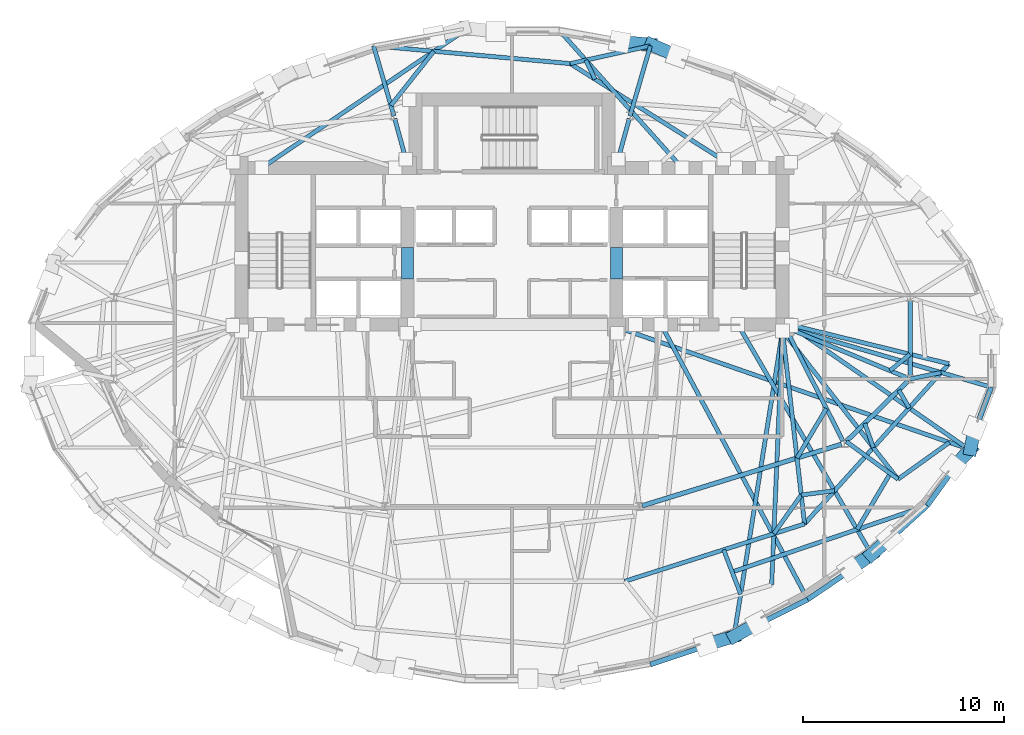
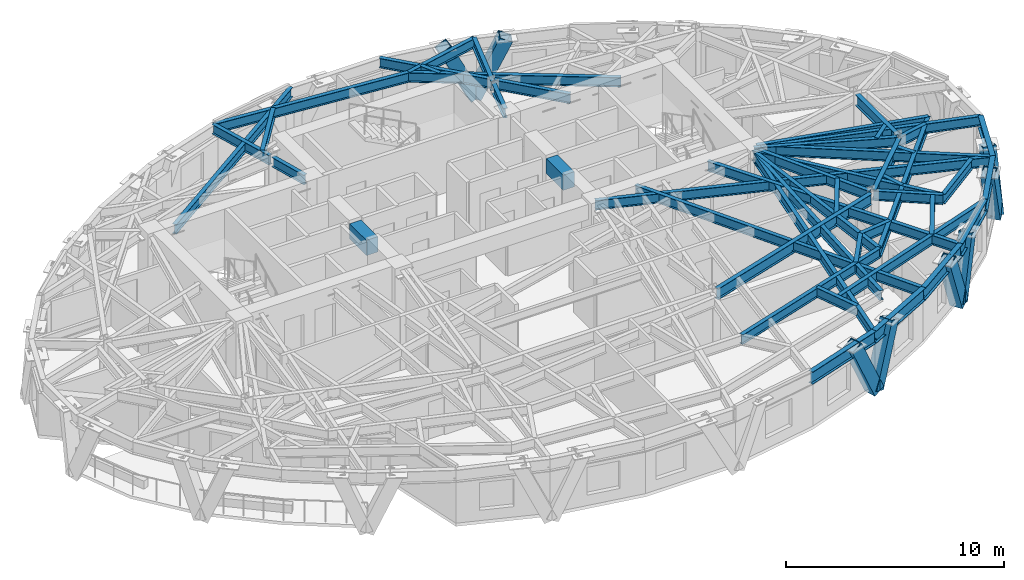
# One storey, part 4 of 15: 48 beams, 8 members.
"""IFC4 building model written with IfcOpenShell, lengths in metres."""

from ifc_helpers import new_model, si_unit, direction, frame, origin, origin_2d, place, context, subcontext, project, spatial, rectangle, hollow_rectangle, i_section, extrude, material, material_profile, profile_set, type_object, element, save


model = new_model("IFC4")

# Units and contexts
model_context = context("Model", 3, precision=1e-05, world=origin(), true_north=direction((0.0, 1.0)))
body_context = subcontext(model_context, "Body", "Model", "MODEL_VIEW")
ifc_project = project(units=[si_unit("LENGTHUNIT", "METRE"), si_unit("AREAUNIT", "SQUARE_METRE"), si_unit("VOLUMEUNIT", "CUBIC_METRE"), si_unit("PLANEANGLEUNIT", "RADIAN"), si_unit("MASSUNIT", "GRAM", prefix="KILO")], contexts=[model_context])

# Site, building, storey
site_placement = place(None, origin())
site = spatial("IfcSite", under=ifc_project, at=site_placement, CompositionType="ELEMENT")
building_placement = place(site_placement, origin())
building = spatial("IfcBuilding", under=site, at=building_placement, Name="Keldmark Tower", CompositionType="ELEMENT")
storey_placement = place(building_placement, frame((0.0, 0.0, 195.0)))
storey = spatial("IfcBuildingStorey", under=building, at=storey_placement, Name="L54", CompositionType="ELEMENT", Elevation=195.0)

# Beams
ifc_material_1 = material(Name="Concrete C50/60", Category="concrete")
ifc_material_profile_1 = material_profile(ifc_material_1, rectangle(XDim=0.60009765625, YDim=0.85009765625, at=origin_2d()), Name="RCB600X850")
ifc_profile_set_1 = profile_set([ifc_material_profile_1], Name="Concrete C50/60")
beam_type_1 = type_object("IfcBeamType", Name="Core Coupling Beam RCB600X850", PredefinedType="USERDEFINED", material=ifc_profile_set_1)
for number, where, z_axis, x_axis, name in (
    (1, (-5.199951171875, 3.800048828125, 2.594970703125), (0.0, 1.0, 0.0), (-1.0, 0.0, 0.0), "L54 West Core Coupling Beam"),
    (2, (5.199951171875, 3.800048828125, 2.594970703125), (0.0, 1.0, 0.0), (-1.0, 0.0, 0.0), "L54 East Core Coupling Beam"),
):
    element("IfcBeam", number, at=place(storey_placement, frame(where, z_axis=z_axis, x_axis=x_axis)), inside=storey, type_object=beam_type_1, Name=name, ObjectType="COUPLING BEAM", PredefinedType="USERDEFINED", context=body_context, shape_type="SweptSolid", body=[
        extrude(rectangle(XDim=0.60009765625, YDim=0.85009765625, at=origin_2d()), origin(), (0.0, 0.0, 1.0), 1.550048828125),
    ])

# Members
ifc_material_2 = material(Name="Steel ASTM A572 Grade 50", Category="steel")
ifc_material_profile_2 = material_profile(ifc_material_2, hollow_rectangle(XDim=0.64990234375, YDim=0.64990234375, WallThickness=0.0400390625, at=origin_2d()), Name="BOX650X650X40")
ifc_profile_set_2 = profile_set([ifc_material_profile_2], Name="Steel ASTM A572 Grade 50")
member_type = type_object("IfcMemberType", Name="Diagrid Zone 3 Brace BOX650X650X40", PredefinedType="BRACE", material=ifc_profile_set_2)
member_1_placement = place(storey_placement, frame((6.917236328125, 15.469970703125, -0.260009765625), z_axis=(0.383885290539, -0.16597599856, 0.908341373939), x_axis=(0.39685383877, 0.917881817367, 0.0)))
element("IfcMember", 3, at=member_1_placement, inside=storey, type_object=member_type, Name="L54 Perimeter Diagrid Brace 03B", PredefinedType="BRACE", context=body_context, shape_type="SweptSolid", body=[
    extrude(hollow_rectangle(XDim=0.64990234375, YDim=0.64990234375, WallThickness=0.0400390625, at=origin_2d()), origin(), (0.0, 0.0, 1.0), 3.478759765625),
])
member_2_placement = place(storey_placement, frame((6.92822265625, 15.465576171875, -0.260009765625), z_axis=(-0.443781125706, 0.040048203208, 0.895239886224), x_axis=(-0.089877909266, -0.995952790762, 0.0)))
element("IfcMember", 4, at=member_2_placement, inside=storey, type_object=member_type, Name="L54 Perimeter Diagrid Brace 04A", PredefinedType="BRACE", context=body_context, shape_type="SweptSolid", body=[
    extrude(hollow_rectangle(XDim=0.64990234375, YDim=0.64990234375, WallThickness=0.0400390625, at=origin_2d()), origin(), (0.0, 0.0, 1.0), 3.52978515625),
])
member_3_placement = place(storey_placement, frame((11.06982421875, -14.00537109375, -0.260009765625), z_axis=(-0.406704578482, -0.120689041438, 0.905552616427), x_axis=(0.284486983091, -0.958679903019, 0.0)))
element("IfcMember", 5, at=member_3_placement, inside=storey, type_object=member_type, Name="L54 Perimeter Diagrid Brace 13B", PredefinedType="BRACE", context=body_context, shape_type="SweptSolid", body=[
    extrude(hollow_rectangle(XDim=0.64990234375, YDim=0.64990234375, WallThickness=0.0400390625, at=origin_2d()), origin(), (0.0, 0.0, 1.0), 3.489501953125),
])
member_4_placement = place(storey_placement, frame((11.05908203125, -14.010009765625, -0.260009765625), z_axis=(0.346715719904, 0.191271860213, 0.918261011402), x_axis=(-0.483039450761, 0.875598588971, 0.0)))
element("IfcMember", 6, at=member_4_placement, inside=storey, type_object=member_type, Name="L54 Perimeter Diagrid Brace 14A", PredefinedType="BRACE", context=body_context, shape_type="SweptSolid", body=[
    extrude(hollow_rectangle(XDim=0.64990234375, YDim=0.64990234375, WallThickness=0.0400390625, at=origin_2d()), origin(), (0.0, 0.0, 1.0), 3.441162109375),
])
member_5_placement = place(storey_placement, frame((17.896728515625, -9.932373046875, -0.260009765625), z_axis=(-0.310124523089, -0.215549062991, 0.925938108959), x_axis=(0.570725894592, -0.821140641572, 0.0)))
element("IfcMember", 7, at=member_5_placement, inside=storey, type_object=member_type, Name="L54 Perimeter Diagrid Brace 14B", PredefinedType="BRACE", context=body_context, shape_type="SweptSolid", body=[
    extrude(hollow_rectangle(XDim=0.64990234375, YDim=0.64990234375, WallThickness=0.0400390625, at=origin_2d()), origin(), (0.0, 0.0, 1.0), 3.41259765625),
])
member_6_placement = place(storey_placement, frame((17.888427734375, -9.940673828125, -0.260009765625), z_axis=(0.272781799624, 0.2422808811, 0.931069312376), x_axis=(-0.664070071551, 0.747670341842, 0.0)))
element("IfcMember", 8, at=member_6_placement, inside=storey, type_object=member_type, Name="L54 Perimeter Diagrid Brace 15A", PredefinedType="BRACE", context=body_context, shape_type="SweptSolid", body=[
    extrude(hollow_rectangle(XDim=0.64990234375, YDim=0.64990234375, WallThickness=0.0400390625, at=origin_2d()), origin(), (0.0, 0.0, 1.0), 3.393798828125),
])
member_7_placement = place(storey_placement, frame((22.84375, -4.680419921875, -0.260009765625), z_axis=(-0.250918132437, -0.266663424988, 0.930553979406), x_axis=(0.72828069135, -0.685278946566, 0.0)))
element("IfcMember", 9, at=member_7_placement, inside=storey, type_object=member_type, Name="L54 Perimeter Diagrid Brace 15B", PredefinedType="BRACE", context=body_context, shape_type="SweptSolid", body=[
    extrude(hollow_rectangle(XDim=0.64990234375, YDim=0.64990234375, WallThickness=0.0400390625, at=origin_2d()), origin(), (0.0, 0.0, 1.0), 3.395751953125),
])
member_8_placement = place(storey_placement, frame((22.839111328125, -4.69140625, -0.260009765625), z_axis=(0.062423237202, 0.317890700925, 0.946070209721), x_axis=(-0.981260249184, 0.192687112624, 0.0)))
element("IfcMember", 10, at=member_8_placement, inside=storey, type_object=member_type, Name="L54 Perimeter Diagrid Brace 16A", PredefinedType="BRACE", context=body_context, shape_type="SweptSolid", body=[
    extrude(hollow_rectangle(XDim=0.64990234375, YDim=0.64990234375, WallThickness=0.0400390625, at=origin_2d()), origin(), (0.0, 0.0, 1.0), 3.340087890625),
])

# Beams
ifc_material_3 = material(Name="Steel ASTM A992 Grade 50", Category="steel")
ifc_material_profile_3 = material_profile(ifc_material_3, i_section(OverallWidth=0.22900390625, OverallDepth=0.612060546875, WebThickness=0.011962890625, FlangeThickness=0.01953125, at=origin_2d()), Name="W24X84")
ifc_profile_set_3 = profile_set([ifc_material_profile_3], Name="Steel ASTM A992 Grade 50")
beam_type_2 = type_object("IfcBeamType", Name="Primary Floor Girder W24X84", PredefinedType="BEAM", material=ifc_profile_set_3)
beam_1_placement = place(storey_placement, frame((6.485107421875, -7.5048828125, 2.714111328125), z_axis=(0.955494563145, 0.295008711398, 0.0), x_axis=(-0.295008711398, 0.955494563145, 0.0)))
element("IfcBeam", 11, at=beam_1_placement, inside=storey, type_object=beam_type_2, Name="L54 Floor Ring Girder FG-R10", PredefinedType="BEAM", context=body_context, shape_type="SweptSolid", body=[
    extrude(i_section(OverallWidth=0.22900390625, OverallDepth=0.612060546875, WebThickness=0.011962890625, FlangeThickness=0.01953125, at=origin_2d()), origin(), (0.0, 0.0, 1.0), 10.39013671875),
])
beam_2_placement = place(storey_placement, frame((16.646728515625, -4.300537109375, 2.714111328125), z_axis=(0.714964509815, 0.699160746684, 0.0), x_axis=(-0.699160746684, 0.714964509815, 0.0)))
element("IfcBeam", 12, at=beam_2_placement, inside=storey, type_object=beam_type_2, Name="L54 Floor Ring Girder FG-R11", PredefinedType="BEAM", context=body_context, shape_type="SweptSolid", body=[
    extrude(i_section(OverallWidth=0.22900390625, OverallDepth=0.612060546875, WebThickness=0.011962890625, FlangeThickness=0.01953125, at=origin_2d()), origin(), (0.0, 0.0, 1.0), 4.31005859375),
])
beam_3_placement = place(storey_placement, frame((19.828369140625, -1.04931640625, 2.714111328125), z_axis=(0.0, 1.0, 0.0), x_axis=(-1.0, 0.0, 0.0)))
element("IfcBeam", 13, at=beam_3_placement, inside=storey, type_object=beam_type_2, Name="L54 Floor Ring Girder FG-R12", PredefinedType="BEAM", context=body_context, shape_type="SweptSolid", body=[
    extrude(i_section(OverallWidth=0.22900390625, OverallDepth=0.612060546875, WebThickness=0.011962890625, FlangeThickness=0.01953125, at=origin_2d()), origin(), (0.0, 0.0, 1.0), 3.778564453125),
])
ifc_material_4 = material(Name="Steel ASTM A992 Grade 50", Category="steel")
ifc_material_profile_4 = material_profile(ifc_material_4, i_section(OverallWidth=0.2099609375, OverallDepth=0.537109375, WebThickness=0.010986328125, FlangeThickness=0.017333984375, at=origin_2d()), Name="W21X68")
ifc_profile_set_4 = profile_set([ifc_material_profile_4], Name="Steel ASTM A992 Grade 50")
beam_type_3 = type_object("IfcBeamType", Name="Radial Tie Girder W21X68", PredefinedType="BEAM", material=ifc_profile_set_4)
for number, where, z_axis, x_axis, name in (
    (14, (5.843017578125, 11.7802734375, 2.75146484375), (-0.265992411, -0.963975122755, 0.0), (0.963975122755, -0.265992411, 0.0), "L54 Floor Radial Girder FG-C03"),
    (15, (-5.843017578125, 11.7802734375, 2.75146484375), (0.265992411, -0.963975122755, 0.0), (0.963975122755, 0.265992411, 0.0), "L54 Floor Radial Girder FG-C04"),
):
    element("IfcBeam", number, at=place(storey_placement, frame(where, z_axis=z_axis, x_axis=x_axis)), inside=storey, type_object=beam_type_3, Name=name, PredefinedType="BEAM", context=body_context, shape_type="SweptSolid", body=[
        extrude(i_section(OverallWidth=0.2099609375, OverallDepth=0.537109375, WebThickness=0.010986328125, FlangeThickness=0.017333984375, at=origin_2d()), origin(), (0.0, 0.0, 1.0), 2.09716796875),
    ])
beam_4_placement = place(storey_placement, frame((16.4833984375, -4.273681640625, 2.75146484375), z_axis=(-0.453036691775, 0.891491870914, 0.0), x_axis=(-0.891491870914, -0.453036691775, 0.0)))
element("IfcBeam", 16, at=beam_4_placement, inside=storey, type_object=beam_type_3, Name="L54 Floor Radial Girder FG-C11", PredefinedType="BEAM", context=body_context, shape_type="SweptSolid", body=[
    extrude(i_section(OverallWidth=0.2099609375, OverallDepth=0.537109375, WebThickness=0.010986328125, FlangeThickness=0.017333984375, at=origin_2d()), origin(), (0.0, 0.0, 1.0), 6.044189453125),
])
beam_5_placement = place(storey_placement, frame((19.69921875, -1.135498046875, 2.75146484375), z_axis=(-0.923393794893, 0.383854008124, 0.0), x_axis=(-0.383854008124, -0.923393794893, 0.0)))
element("IfcBeam", 17, at=beam_5_placement, inside=storey, type_object=beam_type_3, Name="L54 Floor Radial Girder FG-C12", PredefinedType="BEAM", context=body_context, shape_type="SweptSolid", body=[
    extrude(i_section(OverallWidth=0.2099609375, OverallDepth=0.537109375, WebThickness=0.010986328125, FlangeThickness=0.017333984375, at=origin_2d()), origin(), (0.0, 0.0, 1.0), 6.28515625),
])
beam_6_placement = place(storey_placement, frame((15.661865234375, -2.6572265625, 2.75146484375), z_axis=(-0.510800164632, -0.859699477615, 0.0), x_axis=(0.859699477615, -0.510800164632, 0.0)))
element("IfcBeam", 18, at=beam_6_placement, inside=storey, type_object=beam_type_3, Name="L54 Framing Pin Header PH-005", PredefinedType="BEAM", context=body_context, shape_type="SweptSolid", body=[
    extrude(i_section(OverallWidth=0.2099609375, OverallDepth=0.537109375, WebThickness=0.010986328125, FlangeThickness=0.017333984375, at=origin_2d()), origin(), (0.0, 0.0, 1.0), 2.86962890625),
])
beam_7_placement = place(storey_placement, frame((13.47509765625, 1.199951171875, 2.75146484375), z_axis=(0.113259692986, -0.993565419056, 0.0), x_axis=(0.993565419056, 0.113259692986, 0.0)))
element("IfcBeam", 19, at=beam_7_placement, inside=storey, type_object=beam_type_3, Name="L54 Sub-Ring Step Girder STP1-M11", PredefinedType="BEAM", context=body_context, shape_type="SweptSolid", body=[
    extrude(i_section(OverallWidth=0.2099609375, OverallDepth=0.537109375, WebThickness=0.010986328125, FlangeThickness=0.017333984375, at=origin_2d()), origin(), (0.0, 0.0, 1.0), 9.672119140625),
])
beam_8_placement = place(storey_placement, frame((18.82861328125, -0.773681640625, 2.75146484375), z_axis=(0.774092038208, 0.633073073494, 0.0), x_axis=(-0.633073073494, 0.774092038208, 0.0)))
element("IfcBeam", 20, at=beam_8_placement, inside=storey, type_object=beam_type_3, Name="L54 Framing Pin Header PH-006", PredefinedType="BEAM", context=body_context, shape_type="SweptSolid", body=[
    extrude(i_section(OverallWidth=0.2099609375, OverallDepth=0.537109375, WebThickness=0.010986328125, FlangeThickness=0.017333984375, at=origin_2d()), origin(), (0.0, 0.0, 1.0), 1.29150390625),
])
beam_9_placement = place(storey_placement, frame((13.800048828125, 1.52490234375, 2.75146484375), z_axis=(0.971125533305, -0.238569064555, 0.0), x_axis=(0.238569064555, 0.971125533305, 0.0)))
element("IfcBeam", 21, at=beam_9_placement, inside=storey, type_object=beam_type_3, Name="L54 Sub-Ring Step Girder STP1-M12", PredefinedType="BEAM", context=body_context, shape_type="SweptSolid", body=[
    extrude(i_section(OverallWidth=0.2099609375, OverallDepth=0.537109375, WebThickness=0.010986328125, FlangeThickness=0.017333984375, at=origin_2d()), origin(), (0.0, 0.0, 1.0), 8.201171875),
])
beam_10_placement = place(storey_placement, frame((5.62158203125, -11.26318359375, 2.75146484375), z_axis=(0.952745030874, 0.303771141067, 0.0), x_axis=(-0.303771141067, 0.952745030874, 0.0)))
element("IfcBeam", 22, at=beam_10_placement, inside=storey, type_object=beam_type_3, Name="L54 Perimeter Collector Ring Beam CRG1-M10", PredefinedType="BEAM", context=body_context, shape_type="SweptSolid", body=[
    extrude(i_section(OverallWidth=0.2099609375, OverallDepth=0.537109375, WebThickness=0.010986328125, FlangeThickness=0.017333984375, at=origin_2d()), origin(), (0.0, 0.0, 1.0), 9.392822265625),
])
beam_11_placement = place(storey_placement, frame((14.570556640625, -8.409912109375, 2.75146484375), z_axis=(0.66965376716, 0.742673435723, 0.0), x_axis=(-0.742673435723, 0.66965376716, 0.0)))
element("IfcBeam", 23, at=beam_11_placement, inside=storey, type_object=beam_type_3, Name="L54 Perimeter Collector Ring Beam CRG1-M11", PredefinedType="BEAM", context=body_context, shape_type="SweptSolid", body=[
    extrude(i_section(OverallWidth=0.2099609375, OverallDepth=0.537109375, WebThickness=0.010986328125, FlangeThickness=0.017333984375, at=origin_2d()), origin(), (0.0, 0.0, 1.0), 10.74267578125),
])
beam_12_placement = place(storey_placement, frame((14.40625, -6.968505859375, 2.75146484375), z_axis=(-0.577636026201, -0.816294445182, 0.0), x_axis=(0.816294445182, -0.577636026201, 0.0)))
element("IfcBeam", 24, at=beam_12_placement, inside=storey, type_object=beam_type_3, Name="L54 Framing Pin Header PH-010", PredefinedType="BEAM", context=body_context, shape_type="SweptSolid", body=[
    extrude(i_section(OverallWidth=0.2099609375, OverallDepth=0.537109375, WebThickness=0.010986328125, FlangeThickness=0.017333984375, at=origin_2d()), origin(), (0.0, 0.0, 1.0), 2.363037109375),
])
beam_13_placement = place(storey_placement, frame((13.47509765625, 1.199951171875, 2.75146484375), z_axis=(-0.04293274597, -0.999077964587, 0.0), x_axis=(0.999077964587, -0.04293274597, 0.0)))
element("IfcBeam", 25, at=beam_13_placement, inside=storey, type_object=beam_type_3, Name="L54 Sub-Ring Step Girder STP2-M11", PredefinedType="BEAM", context=body_context, shape_type="SweptSolid", body=[
    extrude(i_section(OverallWidth=0.2099609375, OverallDepth=0.537109375, WebThickness=0.010986328125, FlangeThickness=0.017333984375, at=origin_2d()), origin(), (0.0, 0.0, 1.0), 12.6640625),
])
for number, where, z_axis, x_axis, name in (
    (26, (5.880126953125, 11.915283203125, 2.75146484375), (0.278798208743, 0.960349706514, 0.0), (-0.960349706514, 0.278798208743, 0.0), "L54 Perimeter Column Bracket RT-07"),
    (27, (-5.880126953125, 11.915283203125, 2.75146484375), (-0.278798208743, 0.960349706514, 0.0), (-0.960349706514, -0.278798208743, 0.0), "L54 Perimeter Column Bracket RT-10"),
):
    element("IfcBeam", number, at=place(storey_placement, frame(where, z_axis=z_axis, x_axis=x_axis)), inside=storey, type_object=beam_type_3, Name=name, PredefinedType="BEAM", context=body_context, shape_type="SweptSolid", body=[
        extrude(i_section(OverallWidth=0.2099609375, OverallDepth=0.537109375, WebThickness=0.010986328125, FlangeThickness=0.017333984375, at=origin_2d()), origin(), (0.0, 0.0, 1.0), 3.6357421875),
    ])
beam_14_placement = place(storey_placement, frame((10.54345703125, -9.69384765625, 2.75146484375), z_axis=(0.357068832187, -0.934078074403, 0.0), x_axis=(0.934078074403, 0.357068832187, 0.0)))
element("IfcBeam", 28, at=beam_14_placement, inside=storey, type_object=beam_type_3, Name="L54 Framing Pin Header PH-031", PredefinedType="BEAM", context=body_context, shape_type="SweptSolid", body=[
    extrude(i_section(OverallWidth=0.2099609375, OverallDepth=0.537109375, WebThickness=0.010986328125, FlangeThickness=0.017333984375, at=origin_2d()), origin(), (0.0, 0.0, 1.0), 2.373291015625),
])
beam_15_placement = place(storey_placement, frame((13.47509765625, 1.199951171875, 2.75146484375), z_axis=(-0.157001992151, -0.987598285975, 0.0), x_axis=(0.987598285975, -0.157001992151, 0.0)))
element("IfcBeam", 29, at=beam_15_placement, inside=storey, type_object=beam_type_3, Name="L54 Perimeter Radial Tie Girder RT-27", PredefinedType="BEAM", context=body_context, shape_type="SweptSolid", body=[
    extrude(i_section(OverallWidth=0.2099609375, OverallDepth=0.537109375, WebThickness=0.010986328125, FlangeThickness=0.017333984375, at=origin_2d()), origin(), (0.0, 0.0, 1.0), 15.413330078125),
])
beam_16_placement = place(storey_placement, frame((7.425048828125, 1.52490234375, 2.75146484375), z_axis=(0.470695999383, -0.882295458542, 0.0), x_axis=(0.882295458542, 0.470695999383, 0.0)))
element("IfcBeam", 30, at=beam_16_placement, inside=storey, type_object=beam_type_3, Name="L54 Perimeter Radial Tie Girder RT-28", PredefinedType="BEAM", context=body_context, shape_type="SweptSolid", body=[
    extrude(i_section(OverallWidth=0.2099609375, OverallDepth=0.537109375, WebThickness=0.010986328125, FlangeThickness=0.017333984375, at=origin_2d()), origin(), (0.0, 0.0, 1.0), 15.52099609375),
])
beam_17_placement = place(storey_placement, frame((14.40625, -6.968505859375, 2.75146484375), z_axis=(0.991543398458, 0.129775533033, 0.0), x_axis=(-0.129775533033, 0.991543398458, 0.0)))
element("IfcBeam", 31, at=beam_17_placement, inside=storey, type_object=beam_type_3, Name="L54 Framing Pin Header PH-032", PredefinedType="BEAM", context=body_context, shape_type="SweptSolid", body=[
    extrude(i_section(OverallWidth=0.2099609375, OverallDepth=0.537109375, WebThickness=0.010986328125, FlangeThickness=0.017333984375, at=origin_2d()), origin(), (0.0, 0.0, 1.0), 1.67431640625),
])
beam_18_placement = place(storey_placement, frame((11.25, 1.52490234375, 2.75146484375), z_axis=(0.502982960214, -0.864296327502, 0.0), x_axis=(0.864296327502, 0.502982960214, 0.0)))
element("IfcBeam", 32, at=beam_18_placement, inside=storey, type_object=beam_type_3, Name="L54 Perimeter Radial Tie Girder RT-29", PredefinedType="BEAM", context=body_context, shape_type="SweptSolid", body=[
    extrude(i_section(OverallWidth=0.2099609375, OverallDepth=0.537109375, WebThickness=0.010986328125, FlangeThickness=0.017333984375, at=origin_2d()), origin(), (0.0, 0.0, 1.0), 13.319580078125),
])
beam_19_placement = place(storey_placement, frame((17.5712890625, -3.396484375, 2.75146484375), z_axis=(0.333227756556, -0.94284636196, 0.0), x_axis=(0.94284636196, 0.333227756556, 0.0)))
element("IfcBeam", 33, at=beam_19_placement, inside=storey, type_object=beam_type_3, Name="L54 Framing Pin Header PH-033", PredefinedType="BEAM", context=body_context, shape_type="SweptSolid", body=[
    extrude(i_section(OverallWidth=0.2099609375, OverallDepth=0.537109375, WebThickness=0.010986328125, FlangeThickness=0.017333984375, at=origin_2d()), origin(), (0.0, 0.0, 1.0), 1.284423828125),
])
beam_20_placement = place(storey_placement, frame((13.47509765625, 1.199951171875, 2.75146484375), z_axis=(0.614554681204, -0.788874225596, 0.0), x_axis=(0.788874225596, 0.614554681204, 0.0)))
element("IfcBeam", 34, at=beam_20_placement, inside=storey, type_object=beam_type_3, Name="L54 Intermediate Radial Step Girder RT-30M", PredefinedType="BEAM", context=body_context, shape_type="SweptSolid", body=[
    extrude(i_section(OverallWidth=0.2099609375, OverallDepth=0.537109375, WebThickness=0.010986328125, FlangeThickness=0.017333984375, at=origin_2d()), origin(), (0.0, 0.0, 1.0), 9.35546875),
])
beam_21_placement = place(storey_placement, frame((16.646728515625, -4.300537109375, 2.75146484375), z_axis=(0.807980967273, -0.589208584904, 0.0), x_axis=(0.589208584904, 0.807980967273, 0.0)))
element("IfcBeam", 35, at=beam_21_placement, inside=storey, type_object=beam_type_3, Name="L54 Local Collector Chord RT-30C", PredefinedType="BEAM", context=body_context, shape_type="SweptSolid", body=[
    extrude(i_section(OverallWidth=0.2099609375, OverallDepth=0.537109375, WebThickness=0.010986328125, FlangeThickness=0.017333984375, at=origin_2d()), origin(), (0.0, 0.0, 1.0), 3.1904296875),
])
beam_22_placement = place(storey_placement, frame((19.26611328125, -1.739013671875, 2.75146484375), z_axis=(0.50146613662, -0.865177273062, 0.0), x_axis=(0.865177273062, 0.50146613662, 0.0)))
element("IfcBeam", 36, at=beam_22_placement, inside=storey, type_object=beam_type_3, Name="L54 Framing Pin Header PH-034", PredefinedType="BEAM", context=body_context, shape_type="SweptSolid", body=[
    extrude(i_section(OverallWidth=0.2099609375, OverallDepth=0.537109375, WebThickness=0.010986328125, FlangeThickness=0.017333984375, at=origin_2d()), origin(), (0.0, 0.0, 1.0), 1.02978515625),
])
beam_23_placement = place(storey_placement, frame((13.800048828125, 1.52490234375, 2.75146484375), z_axis=(0.821354176365, -0.570418545427, 0.0), x_axis=(0.570418545427, 0.821354176365, 0.0)))
element("IfcBeam", 37, at=beam_23_placement, inside=storey, type_object=beam_type_3, Name="L54 Perimeter Radial Tie Girder RT-31", PredefinedType="BEAM", context=body_context, shape_type="SweptSolid", body=[
    extrude(i_section(OverallWidth=0.2099609375, OverallDepth=0.537109375, WebThickness=0.010986328125, FlangeThickness=0.017333984375, at=origin_2d()), origin(), (0.0, 0.0, 1.0), 10.866455078125),
])
beam_24_placement = place(storey_placement, frame((19.828369140625, -1.189208984375, 2.75146484375), z_axis=(0.978865638515, 0.204504429619, 0.0), x_axis=(-0.204504429619, 0.978865638515, 0.0)))
element("IfcBeam", 38, at=beam_24_placement, inside=storey, type_object=beam_type_3, Name="L54 Framing Pin Header PH-035", PredefinedType="BEAM", context=body_context, shape_type="SweptSolid", body=[
    extrude(i_section(OverallWidth=0.2099609375, OverallDepth=0.537109375, WebThickness=0.010986328125, FlangeThickness=0.017333984375, at=origin_2d()), origin(), (0.0, 0.0, 1.0), 1.5771484375),
])
beam_25_placement = place(storey_placement, frame((13.60009765625, 1.39990234375, 2.75146484375), z_axis=(0.960007672029, -0.279973694561, 0.0), x_axis=(0.279973694561, 0.960007672029, 0.0)))
element("IfcBeam", 39, at=beam_25_placement, inside=storey, type_object=beam_type_3, Name="L54 Perimeter Radial Tie Girder RT-32", PredefinedType="BEAM", context=body_context, shape_type="SweptSolid", body=[
    extrude(i_section(OverallWidth=0.2099609375, OverallDepth=0.537109375, WebThickness=0.010986328125, FlangeThickness=0.017333984375, at=origin_2d()), origin(), (0.0, 0.0, 1.0), 10.691650390625),
])
beam_26_placement = place(storey_placement, frame((11.1357421875, 9.324951171875, 2.75146484375), z_axis=(-0.845719980305, 0.533626943579, 0.0), x_axis=(-0.533626943579, -0.845719980305, 0.0)))
element("IfcBeam", 40, at=beam_26_placement, inside=storey, type_object=beam_type_3, Name="L54 Crown Step Radial Girder RT-08RN2", PredefinedType="BEAM", context=body_context, shape_type="SweptSolid", body=[
    extrude(i_section(OverallWidth=0.2099609375, OverallDepth=0.537109375, WebThickness=0.010986328125, FlangeThickness=0.017333984375, at=origin_2d()), origin(), (0.0, 0.0, 1.0), 9.73779296875),
])
beam_27_placement = place(storey_placement, frame((2.900390625, 14.521240234375, 2.75146484375), z_axis=(0.976274052014, 0.216538623263, 0.0), x_axis=(-0.216538623263, 0.976274052014, 0.0)))
element("IfcBeam", 41, at=beam_27_placement, inside=storey, type_object=beam_type_3, Name="L54 Crown Step Collector Chord RT-08RP2", PredefinedType="BEAM", context=body_context, shape_type="SweptSolid", body=[
    extrude(i_section(OverallWidth=0.2099609375, OverallDepth=0.537109375, WebThickness=0.010986328125, FlangeThickness=0.017333984375, at=origin_2d()), origin(), (0.0, 0.0, 1.0), 4.090576171875),
])
beam_28_placement = place(storey_placement, frame((4.1357421875, 13.74169921875, 2.75146484375), z_axis=(-0.433947616797, 0.900938103244, 0.0), x_axis=(-0.900938103244, -0.433947616797, 0.0)))
element("IfcBeam", 42, at=beam_28_placement, inside=storey, type_object=beam_type_3, Name="L54 Framing Pin Header PH-037", PredefinedType="BEAM", context=body_context, shape_type="SweptSolid", body=[
    extrude(i_section(OverallWidth=0.2099609375, OverallDepth=0.537109375, WebThickness=0.010986328125, FlangeThickness=0.017333984375, at=origin_2d()), origin(), (0.0, 0.0, 1.0), 1.056640625),
])
beam_29_placement = place(storey_placement, frame((8.471435546875, 9.324951171875, 2.75146484375), z_axis=(-0.666090206653, 0.745871193036, 0.0), x_axis=(-0.745871193036, -0.666090206653, 0.0)))
element("IfcBeam", 43, at=beam_29_placement, inside=storey, type_object=beam_type_3, Name="L54 Perimeter Radial Tie Girder RT-08R", PredefinedType="BEAM", context=body_context, shape_type="SweptSolid", body=[
    extrude(i_section(OverallWidth=0.2099609375, OverallDepth=0.537109375, WebThickness=0.010986328125, FlangeThickness=0.017333984375, at=origin_2d()), origin(), (0.0, 0.0, 1.0), 9.189697265625),
])
beam_30_placement = place(storey_placement, frame((2.900390625, 14.521240234375, 2.75146484375), z_axis=(-0.995935625989, 0.090067912633, 0.0), x_axis=(-0.090067912633, -0.995935625989, 0.0)))
element("IfcBeam", 44, at=beam_30_placement, inside=storey, type_object=beam_type_3, Name="L54 Straddling Support Chord RT-09RB", PredefinedType="BEAM", context=body_context, shape_type="SweptSolid", body=[
    extrude(i_section(OverallWidth=0.2099609375, OverallDepth=0.537109375, WebThickness=0.010986328125, FlangeThickness=0.017333984375, at=origin_2d()), origin(), (0.0, 0.0, 1.0), 9.834228515625),
])
beam_31_placement = place(storey_placement, frame((-6.0322265625, 12.439208984375, 2.75146484375), z_axis=(0.621871911587, 0.783118972813, 0.0), x_axis=(-0.783118972813, 0.621871911587, 0.0)))
element("IfcBeam", 45, at=beam_31_placement, inside=storey, type_object=beam_type_3, Name="L54 Framing Pin Header PH-038", PredefinedType="BEAM", context=body_context, shape_type="SweptSolid", body=[
    extrude(i_section(OverallWidth=0.2099609375, OverallDepth=0.537109375, WebThickness=0.010986328125, FlangeThickness=0.017333984375, at=origin_2d()), origin(), (0.0, 0.0, 1.0), 3.443115234375),
])
beam_32_placement = place(storey_placement, frame((-12.468017578125, 9.324951171875, 2.75146484375), z_axis=(0.827905823191, 0.560867139281, 0.0), x_axis=(-0.560867139281, 0.827905823191, 0.0)))
element("IfcBeam", 46, at=beam_32_placement, inside=storey, type_object=beam_type_3, Name="L54 Perimeter Radial Tie Girder RT-09R", PredefinedType="BEAM", context=body_context, shape_type="SweptSolid", body=[
    extrude(i_section(OverallWidth=0.2099609375, OverallDepth=0.537109375, WebThickness=0.010986328125, FlangeThickness=0.017333984375, at=origin_2d()), origin(), (0.0, 0.0, 1.0), 12.220703125),
])
beam_33_placement = place(storey_placement, frame((5.199951171875, 1.39990234375, 2.75146484375), z_axis=(0.944869270614, -0.32744779958, 0.0), x_axis=(0.32744779958, 0.944869270614, 0.0)))
element("IfcBeam", 47, at=beam_33_placement, inside=storey, type_object=beam_type_3, Name="L54 Straddling Support Chord RT-30RB", PredefinedType="BEAM", context=body_context, shape_type="SweptSolid", body=[
    extrude(i_section(OverallWidth=0.2099609375, OverallDepth=0.537109375, WebThickness=0.010986328125, FlangeThickness=0.017333984375, at=origin_2d()), origin(), (0.0, 0.0, 1.0), 18.5478515625),
])
beam_34_placement = place(storey_placement, frame((19.224609375, -6.180419921875, 2.75146484375), z_axis=(0.813109520303, 0.582110735163, 0.0), x_axis=(-0.582110735163, 0.813109520303, 0.0)))
element("IfcBeam", 48, at=beam_34_placement, inside=storey, type_object=beam_type_3, Name="L54 Framing Pin Header PH-039", PredefinedType="BEAM", context=body_context, shape_type="SweptSolid", body=[
    extrude(i_section(OverallWidth=0.2099609375, OverallDepth=0.537109375, WebThickness=0.010986328125, FlangeThickness=0.017333984375, at=origin_2d()), origin(), (0.0, 0.0, 1.0), 3.1484375),
])
beam_35_placement = place(storey_placement, frame((18.837890625, -5.898193359375, 2.75146484375), z_axis=(-0.50897077125, -0.860783802132, 0.0), x_axis=(0.860783802132, -0.50897077125, 0.0)))
element("IfcBeam", 49, at=beam_35_placement, inside=storey, type_object=beam_type_3, Name="L54 Framing Pin Header PH-040", PredefinedType="BEAM", context=body_context, shape_type="SweptSolid", body=[
    extrude(i_section(OverallWidth=0.2099609375, OverallDepth=0.537109375, WebThickness=0.010986328125, FlangeThickness=0.017333984375, at=origin_2d()), origin(), (0.0, 0.0, 1.0), 3.23583984375),
])
beam_36_placement = place(storey_placement, frame((10.96728515625, -10.80224609375, 2.75146484375), z_axis=(0.946658861313, 0.322237490522, 0.0), x_axis=(-0.322237490522, 0.946658861313, 0.0)))
element("IfcBeam", 50, at=beam_36_placement, inside=storey, type_object=beam_type_3, Name="L54 Perimeter Radial Tie Girder RT-30R", PredefinedType="BEAM", context=body_context, shape_type="SweptSolid", body=[
    extrude(i_section(OverallWidth=0.2099609375, OverallDepth=0.537109375, WebThickness=0.010986328125, FlangeThickness=0.017333984375, at=origin_2d()), origin(), (0.0, 0.0, 1.0), 10.262939453125),
])
ifc_material_5 = material(Name="Steel ASTM A992 Grade 50", Category="steel")
ifc_material_profile_5 = material_profile(ifc_material_5, i_section(OverallWidth=0.256103515625, OverallDepth=0.693115234375, WebThickness=0.014404296875, FlangeThickness=0.023681640625, at=origin_2d()), Name="W27X114")
ifc_profile_set_5 = profile_set([ifc_material_profile_5], Name="Steel ASTM A992 Grade 50")
beam_type_4 = type_object("IfcBeamType", Name="Spandrel Ring Beam W27X114", PredefinedType="SPANDREL", material=ifc_profile_set_5)
beam_37_placement = place(storey_placement, frame((6.893798828125, -15.406982421875, 2.673583984375), z_axis=(0.948844608833, 0.315743421608, 0.0), x_axis=(-0.315743421608, 0.948844608833, 0.0)))
element("IfcBeam", 51, at=beam_37_placement, inside=storey, type_object=beam_type_4, Name="L54 Perimeter Spandrel Ring Beam SRB-26", PredefinedType="SPANDREL", context=body_context, shape_type="SweptSolid", body=[
    extrude(i_section(OverallWidth=0.256103515625, OverallDepth=0.693115234375, WebThickness=0.014404296875, FlangeThickness=0.023681640625, at=origin_2d()), origin(), (0.0, 0.0, 1.0), 4.3857421875),
])
beam_38_placement = place(storey_placement, frame((11.05517578125, -14.022216796875, 2.673583984375), z_axis=(0.892939479035, 0.450176728387, 0.0), x_axis=(-0.450176728387, 0.892939479035, 0.0)))
element("IfcBeam", 52, at=beam_38_placement, inside=storey, type_object=beam_type_4, Name="L54 Perimeter Spandrel Ring Beam SRB-27", PredefinedType="SPANDREL", context=body_context, shape_type="SweptSolid", body=[
    extrude(i_section(OverallWidth=0.256103515625, OverallDepth=0.693115234375, WebThickness=0.014404296875, FlangeThickness=0.023681640625, at=origin_2d()), origin(), (0.0, 0.0, 1.0), 4.1162109375),
])
beam_39_placement = place(storey_placement, frame((14.730712890625, -12.169189453125, 2.673583984375), z_axis=(0.82771739458, 0.56114518149, 0.0), x_axis=(-0.56114518149, 0.82771739458, 0.0)))
element("IfcBeam", 53, at=beam_39_placement, inside=storey, type_object=beam_type_4, Name="L54 Perimeter Spandrel Ring Beam SRB-28", PredefinedType="SPANDREL", context=body_context, shape_type="SweptSolid", body=[
    extrude(i_section(OverallWidth=0.256103515625, OverallDepth=0.693115234375, WebThickness=0.014404296875, FlangeThickness=0.023681640625, at=origin_2d()), origin(), (0.0, 0.0, 1.0), 3.888671875),
])
beam_40_placement = place(storey_placement, frame((17.949462890625, -9.987060546875, 2.673583984375), z_axis=(0.738992571182, 0.67371357396, 0.0), x_axis=(-0.67371357396, 0.738992571182, 0.0)))
element("IfcBeam", 54, at=beam_40_placement, inside=storey, type_object=beam_type_4, Name="L54 Perimeter Spandrel Ring Beam SRB-29", PredefinedType="SPANDREL", context=body_context, shape_type="SweptSolid", body=[
    extrude(i_section(OverallWidth=0.256103515625, OverallDepth=0.693115234375, WebThickness=0.014404296875, FlangeThickness=0.023681640625, at=origin_2d()), origin(), (0.0, 0.0, 1.0), 3.69873046875),
])
beam_41_placement = place(storey_placement, frame((20.682861328125, -7.4951171875, 2.673583984375), z_axis=(0.586378206793, 0.810037405678, 0.0), x_axis=(-0.810037405678, 0.586378206793, 0.0)))
element("IfcBeam", 55, at=beam_41_placement, inside=storey, type_object=beam_type_4, Name="L54 Perimeter Spandrel Ring Beam SRB-30", PredefinedType="SPANDREL", context=body_context, shape_type="SweptSolid", body=[
    extrude(i_section(OverallWidth=0.256103515625, OverallDepth=0.693115234375, WebThickness=0.014404296875, FlangeThickness=0.023681640625, at=origin_2d()), origin(), (0.0, 0.0, 1.0), 3.483154296875),
])
beam_42_placement = place(storey_placement, frame((22.725341796875, -4.673583984375, 2.673583984375), z_axis=(0.346817928639, 0.937932473249, 0.0), x_axis=(-0.937932473249, 0.346817928639, 0.0)))
element("IfcBeam", 56, at=beam_42_placement, inside=storey, type_object=beam_type_4, Name="L54 Perimeter Spandrel Ring Beam SRB-31", PredefinedType="SPANDREL", context=body_context, shape_type="SweptSolid", body=[
    extrude(i_section(OverallWidth=0.256103515625, OverallDepth=0.693115234375, WebThickness=0.014404296875, FlangeThickness=0.023681640625, at=origin_2d()), origin(), (0.0, 0.0, 1.0), 3.283935546875),
])

save(model, "model.ifc")
